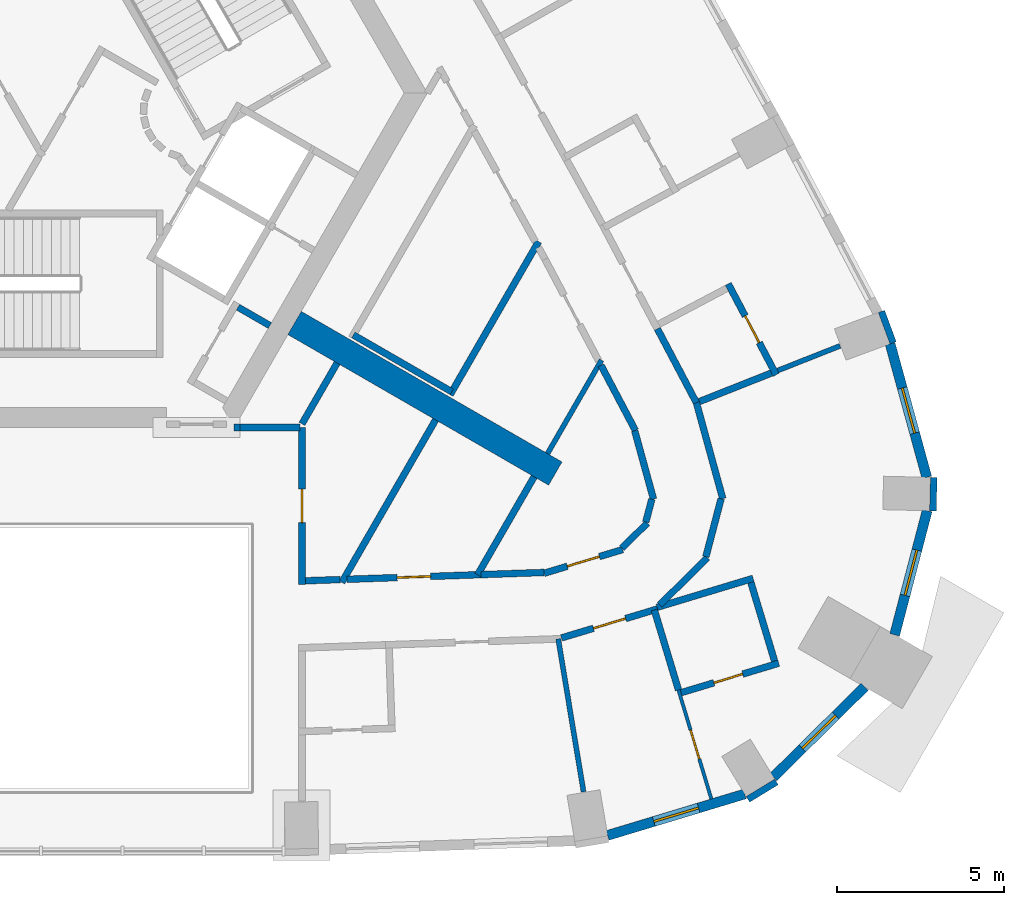
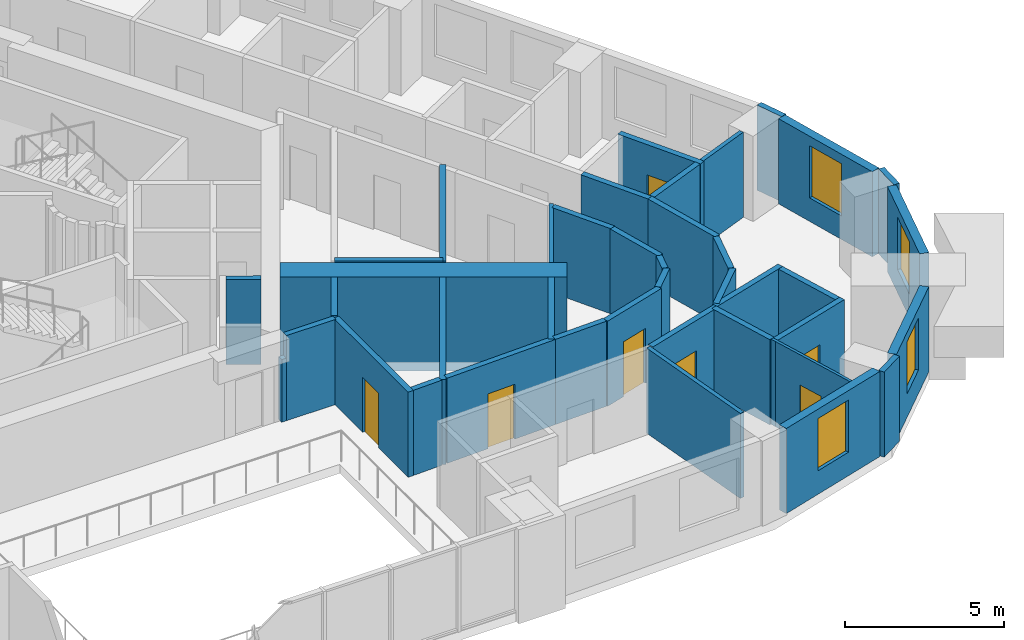
# One storey, part 7 of 14: 40 walls, 7 doors, 4 windows, 11 openings.
"""IFC4 building model written with IfcOpenShell, lengths in metres."""

from ifc_helpers import new_model, si_unit, direction, frame, frame_2d, origin, place, context, subcontext, project, spatial, rectangle, extrude, material, layer, layer_set, type_object, element, fill, save


model = new_model("IFC4")

# Units and contexts
model_context = context("Model", 3, precision=1e-05, world=origin(), true_north=direction((0.0, 1.0)))
body_context = subcontext(model_context, "Body", "Model", "MODEL_VIEW")
ifc_project = project(units=[si_unit("LENGTHUNIT", "METRE"), si_unit("AREAUNIT", "SQUARE_METRE"), si_unit("VOLUMEUNIT", "CUBIC_METRE"), si_unit("PLANEANGLEUNIT", "RADIAN"), si_unit("MASSUNIT", "GRAM", prefix="KILO")], contexts=[model_context])

# Site, building, storey
site_placement = place(None, origin())
site = spatial("IfcSite", under=ifc_project, at=site_placement, CompositionType="ELEMENT")
building_placement = place(site_placement, origin())
building = spatial("IfcBuilding", under=site, at=building_placement, Name="Entoto Arch Interchange Tower", CompositionType="ELEMENT")
storey_placement = place(building_placement, frame((0.0, 0.0, 259.39990234375)))
storey = spatial("IfcBuildingStorey", under=building, at=storey_placement, Name="L59", CompositionType="ELEMENT", Elevation=259.39990234375)

# Wall
ifc_material_1 = material(Name="Concrete C40/50", Category="concrete")
ifc_layer_1 = layer(ifc_material_1, 0.800048828125)
ifc_layer_set_1 = layer_set([ifc_layer_1], Name="Concrete C40/50")
wall_type_1 = type_object("IfcWallType", Name="Buttress wall 800 C40/50", PredefinedType="SHEAR", material=ifc_layer_set_1)
wall_1_placement = place(storey_placement, frame((7.577880859375, -4.375, -0.33984375), z_axis=(0.0, 0.0, 1.0), x_axis=(0.866024315419, -0.5000018851, 0.0)))
element("IfcWall", 1, at=wall_1_placement, inside=storey, type_object=wall_type_1, Name="Buttress wall SE L59", PredefinedType="SHEAR", context=body_context, shape_type="SweptSolid", body=[
    extrude(rectangle(XDim=9.0, YDim=0.800048828125, at=frame_2d((4.5, 0.0))), origin(), (0.0, 0.0, 1.0), 3.599853515625),
])

# Wall, opening, door
ifc_material_2 = material(Name="Gypsum board partition on steel studs", Category="steel")
ifc_layer_2 = layer(ifc_material_2, 0.10009765625)
ifc_layer_set_2 = layer_set([ifc_layer_2], Name="Gypsum board partition on steel studs")
wall_type_2 = type_object("IfcWallType", Name="PARTITION 100", PredefinedType="PARTITIONING", material=ifc_layer_set_2)
wall_2_placement = place(storey_placement, frame((19.053955078125, -15.343994140625, 0.0), z_axis=(0.0, 0.0, 1.0), x_axis=(0.288803435252, -0.957388414274, 0.0)))
wall_2 = element("IfcWall", 2, at=wall_2_placement, inside=storey, type_object=wall_type_2, Name="wall:L59:p125", PredefinedType="PARTITIONING", context=body_context, shape_type="SweptSolid", body=[
    extrude(rectangle(XDim=3.39990234375, YDim=0.10009765625, at=frame_2d((1.699951171875, 0.0))), origin(), (0.0, 0.0, 1.0), 3.260009765625),
])
opening_1_placement = place(wall_2_placement, frame((1.25, 0.0, 0.0)))
opening_1 = element("IfcOpeningElement", 3, at=opening_1_placement, cuts=wall_2, Name="Opening L59-D04", PredefinedType="OPENING", context=body_context, shape_type="SweptSolid", body=[
    extrude(rectangle(XDim=0.89990234375, YDim=2.10009765625, at=frame_2d((0.449951171875, 1.050048828125))), frame((0.0, 0.06005859375, 0.0), z_axis=(0.0, -1.0, 0.0), x_axis=(1.0, 0.0, 0.0)), (0.0, 0.0, 1.0), 0.1201171875),
])
ifc_material_3 = material(Name="Timber door leaf in Steel S235 frame", Category="steel")
door_type_1 = type_object("IfcDoorType", Name="DOOR DS-09 900x2100", OperationType="SINGLE_SWING_LEFT", PredefinedType="DOOR", material=ifc_material_3)
door_1_placement = place(opening_1_placement, origin())
door_1 = element("IfcDoor", 4, at=door_1_placement, inside=storey, type_object=door_type_1, Name="door:L59:04", OperationType="SINGLE_SWING_RIGHT", OverallHeight=2.10009765625, OverallWidth=0.89990234375, PredefinedType="DOOR", context=body_context, shape_type="SweptSolid", body=[
    extrude(rectangle(XDim=0.89990234375, YDim=2.10009765625, at=frame_2d((0.449951171875, 1.050048828125))), frame((0.0, 0.02490234375, 0.0), z_axis=(0.0, -1.0, 0.0), x_axis=(1.0, 0.0, 0.0)), (0.0, 0.0, 1.0), 0.050048828125),
])
fill(opening_1, door_1)

# Walls
ifc_layer_3 = layer(ifc_material_2, 0.14990234375)
ifc_layer_set_3 = layer_set([ifc_layer_3], Name="Gypsum board partition on steel studs")
wall_type_3 = type_object("IfcWallType", Name="PARTITION 150", PredefinedType="PARTITIONING", material=ifc_layer_set_3)
wall_3_placement = place(storey_placement, frame((16.751953125, -5.485107421875, 0.0), z_axis=(0.0, 0.0, 1.0), x_axis=(-0.499988848364, -0.866031842089, 0.0)))
element("IfcWall", 5, at=wall_3_placement, inside=storey, type_object=wall_type_3, Name="wall:L59:p117", PredefinedType="PARTITIONING", context=body_context, shape_type="SweptSolid", body=[
    extrude(rectangle(XDim=3.22607421875, YDim=0.14990234375, at=frame_2d((1.613037109375, 0.0))), origin(), (0.0, 0.0, 1.0), 3.260009765625),
])
wall_4_placement = place(storey_placement, frame((15.458984375, -13.818115234375, 0.0), z_axis=(0.0, 0.0, 1.0), x_axis=(0.163441652939, -0.986553002167, 0.0)))
element("IfcWall", 6, at=wall_4_placement, inside=storey, type_object=wall_type_3, Name="wall:L59:p124", PredefinedType="PARTITIONING", context=body_context, shape_type="SweptSolid", body=[
    extrude(rectangle(XDim=4.632080078125, YDim=0.14990234375, at=frame_2d((2.31591796875, 0.0))), origin(), (0.0, 0.0, 1.0), 3.260009765625),
])
wall_5_placement = place(storey_placement, frame((22.02001953125, -5.7958984375, 0.0), z_axis=(0.0, 0.0, 1.0), x_axis=(0.929915172208, 0.367774078066, 0.0)))
element("IfcWall", 7, at=wall_5_placement, inside=storey, type_object=wall_type_3, Name="wall:L59:p130", PredefinedType="PARTITIONING", context=body_context, shape_type="SweptSolid", body=[
    extrude(rectangle(XDim=2.00341796875, YDim=0.14990234375, at=frame_2d((1.001708984375, 0.0))), origin(), (0.0, 0.0, 1.0), 3.260009765625),
])
ifc_layer_4 = layer(ifc_material_2, 0.199951171875)
ifc_layer_set_4 = layer_set([ifc_layer_4], Name="Gypsum board partition on steel studs")
wall_type_4 = type_object("IfcWallType", Name="PARTITION 200", PredefinedType="PARTITIONING", material=ifc_layer_set_4)
wall_6_placement = place(storey_placement, frame((7.89990234375, -12.0810546875, 0.0), z_axis=(0.0, 0.0, 1.0), x_axis=(0.999365240621, 0.035624652105, 0.0)))
element("IfcWall", 8, at=wall_6_placement, inside=storey, type_object=wall_type_4, Name="wall:L59:p014", PredefinedType="PARTITIONING", context=body_context, shape_type="SweptSolid", body=[
    extrude(rectangle(XDim=1.041748046875, YDim=0.199951171875, at=frame_2d((0.52099609375, 0.0))), origin(), (0.0, 0.0, 1.0), 3.260009765625),
])

# Wall, opening, door
wall_7_placement = place(storey_placement, frame((9.14111328125, -12.037109375, 0.0), z_axis=(0.0, 0.0, 1.0), x_axis=(0.999388955878, 0.034953038062, 0.0)))
wall_7 = element("IfcWall", 9, at=wall_7_placement, inside=storey, type_object=wall_type_4, Name="wall:L59:p016", PredefinedType="PARTITIONING", context=body_context, shape_type="SweptSolid", body=[
    extrude(rectangle(XDim=4.00927734375, YDim=0.199951171875, at=frame_2d((2.004638671875, 0.0))), origin(), (0.0, 0.0, 1.0), 3.260009765625),
])
opening_2_placement = place(wall_7_placement, frame((1.5048828125, 0.0, 0.0)))
opening_2 = element("IfcOpeningElement", 10, at=opening_2_placement, cuts=wall_7, Name="Opening L59-D35", PredefinedType="OPENING", context=body_context, shape_type="SweptSolid", body=[
    extrude(rectangle(XDim=1.0, YDim=2.10009765625, at=frame_2d((0.5, 1.050048828125))), frame((0.0, 0.10986328125, 0.0), z_axis=(0.0, -1.0, 0.0), x_axis=(1.0, 0.0, 0.0)), (0.0, 0.0, 1.0), 0.219970703125),
])
door_type_2 = type_object("IfcDoorType", Name="DOOR DS-10 1000x2100", OperationType="SINGLE_SWING_LEFT", PredefinedType="DOOR", material=ifc_material_3)
door_2_placement = place(opening_2_placement, origin())
door_2 = element("IfcDoor", 11, at=door_2_placement, inside=storey, type_object=door_type_2, Name="door:L59:35", OperationType="SINGLE_SWING_LEFT", OverallHeight=2.10009765625, OverallWidth=1.0, PredefinedType="DOOR", context=body_context, shape_type="SweptSolid", body=[
    extrude(rectangle(XDim=1.0, YDim=2.10009765625, at=frame_2d((0.5, 1.050048828125))), frame((0.0, 0.02490234375, 0.0), z_axis=(0.0, -1.0, 0.0), x_axis=(1.0, 0.0, 0.0)), (0.0, 0.0, 1.0), 0.050048828125),
])
fill(opening_2, door_2)

# Wall
wall_8_placement = place(storey_placement, frame((13.14794921875, -11.89697265625, 0.0), z_axis=(0.0, 0.0, 1.0), x_axis=(0.999405229262, 0.034484601243, 0.0)))
element("IfcWall", 12, at=wall_8_placement, inside=storey, type_object=wall_type_4, Name="wall:L59:p019", PredefinedType="PARTITIONING", context=body_context, shape_type="SweptSolid", body=[
    extrude(rectangle(XDim=1.88330078125, YDim=0.199951171875, at=frame_2d((0.941650390625, 0.0))), origin(), (0.0, 0.0, 1.0), 3.260009765625),
])

# Wall, opening, door
wall_9_placement = place(storey_placement, frame((15.033935546875, -11.85693359375, 0.0), z_axis=(0.0, 0.0, 1.0), x_axis=(0.957338084933, 0.288970225346, 0.0)))
wall_9 = element("IfcWall", 13, at=wall_9_placement, inside=storey, type_object=wall_type_4, Name="wall:L59:p020", PredefinedType="PARTITIONING", context=body_context, shape_type="SweptSolid", body=[
    extrude(rectangle(XDim=2.456787109375, YDim=0.199951171875, at=frame_2d((1.228515625, 0.0))), origin(), (0.0, 0.0, 1.0), 3.260009765625),
])
opening_3_placement = place(wall_9_placement, frame((0.72802734375, 0.0, 0.0)))
opening_3 = element("IfcOpeningElement", 14, at=opening_3_placement, cuts=wall_9, Name="Opening L59-D37", PredefinedType="OPENING", context=body_context, shape_type="SweptSolid", body=[
    extrude(rectangle(XDim=1.0, YDim=2.10009765625, at=frame_2d((0.5, 1.050048828125))), frame((0.0, 0.10986328125, 0.0), z_axis=(0.0, -1.0, 0.0), x_axis=(1.0, 0.0, 0.0)), (0.0, 0.0, 1.0), 0.219970703125),
])
door_3_placement = place(opening_3_placement, origin())
door_3 = element("IfcDoor", 15, at=door_3_placement, inside=storey, type_object=door_type_2, Name="door:L59:37", OperationType="SINGLE_SWING_LEFT", OverallHeight=2.10009765625, OverallWidth=1.0, PredefinedType="DOOR", context=body_context, shape_type="SweptSolid", body=[
    extrude(rectangle(XDim=1.0, YDim=2.10009765625, at=frame_2d((0.5, 1.050048828125))), frame((0.0, 0.02490234375, 0.0), z_axis=(0.0, -1.0, 0.0), x_axis=(1.0, 0.0, 0.0)), (0.0, 0.0, 1.0), 0.050048828125),
])
fill(opening_3, door_3)

# Walls
wall_10_placement = place(storey_placement, frame((17.362060546875, -11.10595703125, 0.0), z_axis=(0.0, 0.0, 1.0), x_axis=(0.710859741153, 0.703333795866, 0.0)))
element("IfcWall", 16, at=wall_10_placement, inside=storey, type_object=wall_type_4, Name="wall:L59:p021", PredefinedType="PARTITIONING", context=body_context, shape_type="SweptSolid", body=[
    extrude(rectangle(XDim=1.070556640625, YDim=0.199951171875, at=frame_2d((0.53515625, 0.0))), origin(), (0.0, 0.0, 1.0), 3.260009765625),
])
wall_11_placement = place(storey_placement, frame((18.076904296875, -10.325927734375, 0.0), z_axis=(0.0, 0.0, 1.0), x_axis=(0.254782174857, 0.966998471237, 0.0)))
element("IfcWall", 17, at=wall_11_placement, inside=storey, type_object=wall_type_4, Name="wall:L59:p022", PredefinedType="PARTITIONING", context=body_context, shape_type="SweptSolid", body=[
    extrude(rectangle(XDim=0.707275390625, YDim=0.199951171875, at=frame_2d((0.353515625, 0.0))), origin(), (0.0, 0.0, 1.0), 3.260009765625),
])
wall_12_placement = place(storey_placement, frame((18.30810546875, -9.64208984375, 0.0), z_axis=(0.0, 0.0, 1.0), x_axis=(-0.264859637197, 0.96428697626, 0.0)))
element("IfcWall", 18, at=wall_12_placement, inside=storey, type_object=wall_type_4, Name="wall:L59:p023", PredefinedType="PARTITIONING", context=body_context, shape_type="SweptSolid", body=[
    extrude(rectangle(XDim=2.121826171875, YDim=0.199951171875, at=frame_2d((1.06103515625, 0.0))), origin(), (0.0, 0.0, 1.0), 3.260009765625),
])
wall_13_placement = place(storey_placement, frame((17.76611328125, -7.587890625, 0.0), z_axis=(0.0, 0.0, 1.0), x_axis=(-0.466727344864, 0.884401258228, 0.0)))
element("IfcWall", 19, at=wall_13_placement, inside=storey, type_object=wall_type_4, Name="wall:L59:p024", PredefinedType="PARTITIONING", context=body_context, shape_type="SweptSolid", body=[
    extrude(rectangle(XDim=2.204833984375, YDim=0.199951171875, at=frame_2d((1.1025390625, 0.0))), origin(), (0.0, 0.0, 1.0), 3.260009765625),
])

# Wall, opening, door
wall_14_placement = place(storey_placement, frame((18.427001953125, -12.922119140625, 0.0), z_axis=(0.0, 0.0, 1.0), x_axis=(-0.957336631432, -0.288975040651, 0.0)))
wall_14 = element("IfcWall", 20, at=wall_14_placement, inside=storey, type_object=wall_type_4, Name="wall:L59:p038", PredefinedType="PARTITIONING", context=body_context, shape_type="SweptSolid", body=[
    extrude(rectangle(XDim=3.0, YDim=0.199951171875, at=frame_2d((1.5, 0.0))), origin(), (0.0, 0.0, 1.0), 3.260009765625),
])
opening_4_placement = place(wall_14_placement, frame((1.0, 0.0, 0.0)))
opening_4 = element("IfcOpeningElement", 21, at=opening_4_placement, cuts=wall_14, Name="Opening L59-D03", PredefinedType="OPENING", context=body_context, shape_type="SweptSolid", body=[
    extrude(rectangle(XDim=1.0, YDim=2.10009765625, at=frame_2d((0.5, 1.050048828125))), frame((0.0, 0.10986328125, 0.0), z_axis=(0.0, -1.0, 0.0), x_axis=(1.0, 0.0, 0.0)), (0.0, 0.0, 1.0), 0.219970703125),
])
ifc_material_4 = material(Name="Fire-rated Steel S235 door and frame", Category="steel")
door_type_3 = type_object("IfcDoorType", Name="DOOR FD-10 1000x2100", OperationType="SINGLE_SWING_LEFT", PredefinedType="DOOR", material=ifc_material_4)
door_4_placement = place(opening_4_placement, origin())
door_4 = element("IfcDoor", 22, at=door_4_placement, inside=storey, type_object=door_type_3, Name="door:L59:03", OperationType="SINGLE_SWING_LEFT", OverallHeight=2.10009765625, OverallWidth=1.0, PredefinedType="DOOR", context=body_context, shape_type="SweptSolid", body=[
    extrude(rectangle(XDim=1.0, YDim=2.10009765625, at=frame_2d((0.5, 1.050048828125))), frame((0.0, 0.02490234375, 0.0), z_axis=(0.0, -1.0, 0.0), x_axis=(1.0, 0.0, 0.0)), (0.0, 0.0, 1.0), 0.050048828125),
])
fill(opening_4, door_4)

# Walls
wall_15_placement = place(storey_placement, frame((19.56396484375, -6.662109375, 0.0), z_axis=(0.0, 0.0, 1.0), x_axis=(0.264876135597, -0.96428244451, 0.0)))
element("IfcWall", 23, at=wall_15_placement, inside=storey, type_object=wall_type_4, Name="wall:L59:p039", PredefinedType="PARTITIONING", context=body_context, shape_type="SweptSolid", body=[
    extrude(rectangle(XDim=3.07666015625, YDim=0.199951171875, at=frame_2d((1.538330078125, 0.0))), origin(), (0.0, 0.0, 1.0), 3.260009765625),
])
wall_16_placement = place(storey_placement, frame((20.326904296875, -9.62890625, 0.0), z_axis=(0.0, 0.0, 1.0), x_axis=(-0.253192482031, -0.967415922467, 0.0)))
element("IfcWall", 24, at=wall_16_placement, inside=storey, type_object=wall_type_4, Name="wall:L59:p040", PredefinedType="PARTITIONING", context=body_context, shape_type="SweptSolid", body=[
    extrude(rectangle(XDim=1.79248046875, YDim=0.199951171875, at=frame_2d((0.896240234375, 0.0))), origin(), (0.0, 0.0, 1.0), 3.260009765625),
])
wall_17_placement = place(storey_placement, frame((19.9189453125, -11.389892578125, 0.0), z_axis=(0.0, 0.0, 1.0), x_axis=(-0.71104667794, -0.70314480855, 0.0)))
element("IfcWall", 25, at=wall_17_placement, inside=storey, type_object=wall_type_4, Name="wall:L59:p041", PredefinedType="PARTITIONING", context=body_context, shape_type="SweptSolid", body=[
    extrude(rectangle(XDim=2.00830078125, YDim=0.199951171875, at=frame_2d((1.004150390625, 0.0))), origin(), (0.0, 0.0, 1.0), 3.260009765625),
])
wall_18_placement = place(storey_placement, frame((18.423095703125, -4.548095703125, 0.0), z_axis=(0.0, 0.0, 1.0), x_axis=(0.466792565793, -0.884366835946, 0.0)))
element("IfcWall", 26, at=wall_18_placement, inside=storey, type_object=wall_type_4, Name="wall:L59:p043", PredefinedType="PARTITIONING", context=body_context, shape_type="SweptSolid", body=[
    extrude(rectangle(XDim=2.5, YDim=0.199951171875, at=frame_2d((1.25, 0.0))), origin(), (0.0, 0.0, 1.0), 3.260009765625),
])
wall_19_placement = place(storey_placement, frame((5.887939453125, -3.902099609375, 0.0), z_axis=(0.0, 0.0, 1.0), x_axis=(0.86621513555, -0.499671230855, 0.0)))
element("IfcWall", 27, at=wall_19_placement, inside=storey, type_object=wall_type_4, Name="wall:L59:p080", PredefinedType="PARTITIONING", context=body_context, shape_type="SweptSolid", body=[
    extrude(rectangle(XDim=1.100341796875, YDim=0.199951171875, at=frame_2d((0.55029296875, 0.0))), origin(), (0.0, 0.0, 1.0), 3.260009765625),
])
wall_20_placement = place(storey_placement, frame((5.77490234375, -7.4990234375, 0.0), z_axis=(0.0, 0.0, 1.0), x_axis=(1.0, 0.0, 0.0)))
element("IfcWall", 28, at=wall_20_placement, inside=storey, type_object=wall_type_4, Name="wall:L59:p090", PredefinedType="PARTITIONING", context=body_context, shape_type="SweptSolid", body=[
    extrude(rectangle(XDim=0.169189453125, YDim=0.199951171875, at=frame_2d((0.08447265625, 0.0))), origin(), (0.0, 0.0, 1.0), 2.400146484375),
])
wall_21_placement = place(storey_placement, frame((7.800048828125, -7.389892578125, 0.0), z_axis=(0.0, 0.0, 1.0), x_axis=(0.499977374825, 0.866038466041, 0.0)))
element("IfcWall", 29, at=wall_21_placement, inside=storey, type_object=wall_type_4, Name="wall:L59:p091", PredefinedType="PARTITIONING", context=body_context, shape_type="SweptSolid", body=[
    extrude(rectangle(XDim=2.10009765625, YDim=0.199951171875, at=frame_2d((1.050048828125, 0.0))), origin(), (0.0, 0.0, 1.0), 3.260009765625),
])

# Wall, opening, door
wall_22_placement = place(storey_placement, frame((7.800048828125, -7.4990234375, 0.0), z_axis=(0.0, 0.0, 1.0), x_axis=(0.0, -1.0, 0.0)))
wall_22 = element("IfcWall", 30, at=wall_22_placement, inside=storey, type_object=wall_type_4, Name="wall:L59:p105", PredefinedType="PARTITIONING", context=body_context, shape_type="SweptSolid", body=[
    extrude(rectangle(XDim=4.68505859375, YDim=0.199951171875, at=frame_2d((2.342529296875, 0.0))), origin(), (0.0, 0.0, 1.0), 3.260009765625),
])
opening_5_placement = place(wall_22_placement, frame((1.842041015625, 0.0, 0.0)))
opening_5 = element("IfcOpeningElement", 31, at=opening_5_placement, cuts=wall_22, Name="Opening L59-D33", PredefinedType="OPENING", context=body_context, shape_type="SweptSolid", body=[
    extrude(rectangle(XDim=1.0, YDim=2.10009765625, at=frame_2d((0.5, 1.050048828125))), frame((0.0, 0.10986328125, 0.0), z_axis=(0.0, -1.0, 0.0), x_axis=(1.0, 0.0, 0.0)), (0.0, 0.0, 1.0), 0.219970703125),
])
door_5_placement = place(opening_5_placement, origin())
door_5 = element("IfcDoor", 32, at=door_5_placement, inside=storey, type_object=door_type_2, Name="door:L59:33", OperationType="SINGLE_SWING_LEFT", OverallHeight=2.10009765625, OverallWidth=1.0, PredefinedType="DOOR", context=body_context, shape_type="SweptSolid", body=[
    extrude(rectangle(XDim=1.0, YDim=2.10009765625, at=frame_2d((0.5, 1.050048828125))), frame((0.0, 0.02490234375, 0.0), z_axis=(0.0, -1.0, 0.0), x_axis=(1.0, 0.0, 0.0)), (0.0, 0.0, 1.0), 0.050048828125),
])
fill(opening_5, door_5)

# Walls
wall_23_placement = place(storey_placement, frame((9.3349609375, -4.73193359375, 0.0), z_axis=(0.0, 0.0, 1.0), x_axis=(0.866002606077, -0.500039484709, 0.0)))
element("IfcWall", 33, at=wall_23_placement, inside=storey, type_object=wall_type_4, Name="wall:L59:p111", PredefinedType="PARTITIONING", context=body_context, shape_type="SweptSolid", body=[
    extrude(rectangle(XDim=3.399658203125, YDim=0.199951171875, at=frame_2d((1.69970703125, 0.0))), origin(), (0.0, 0.0, 1.0), 3.260009765625),
])
wall_24_placement = place(storey_placement, frame((11.7939453125, -7.27099609375, 0.0), z_axis=(0.0, 0.0, 1.0), x_axis=(-0.499918457185, -0.866072477433, 0.0)))
element("IfcWall", 34, at=wall_24_placement, inside=storey, type_object=wall_type_4, Name="wall:L59:p112", PredefinedType="PARTITIONING", context=body_context, shape_type="SweptSolid", body=[
    extrude(rectangle(XDim=5.60693359375, YDim=0.199951171875, at=frame_2d((2.803466796875, 0.0))), origin(), (0.0, 0.0, 1.0), 3.260009765625),
])
wall_25_placement = place(storey_placement, frame((14.87109375, -1.94189453125, 0.0), z_axis=(0.0, 0.0, 1.0), x_axis=(-0.50000507839, -0.866022471755, 0.0)))
element("IfcWall", 35, at=wall_25_placement, inside=storey, type_object=wall_type_4, Name="wall:L59:p114", PredefinedType="PARTITIONING", context=body_context, shape_type="SweptSolid", body=[
    extrude(rectangle(XDim=5.2841796875, YDim=0.199951171875, at=frame_2d((2.64208984375, 0.0))), origin(), (0.0, 0.0, 1.0), 3.260009765625),
])
wall_26_placement = place(storey_placement, frame((14.739013671875, -8.971923828125, 0.0), z_axis=(0.0, 0.0, 1.0), x_axis=(-0.499974489635, -0.8660401317, 0.0)))
element("IfcWall", 36, at=wall_26_placement, inside=storey, type_object=wall_type_4, Name="wall:L59:p116", PredefinedType="PARTITIONING", context=body_context, shape_type="SweptSolid", body=[
    extrude(rectangle(XDim=3.382080078125, YDim=0.199951171875, at=frame_2d((1.69091796875, 0.0))), origin(), (0.0, 0.0, 1.0), 3.260009765625),
])
wall_27_placement = place(storey_placement, frame((18.3310546875, -12.950927734375, 0.0), z_axis=(0.0, 0.0, 1.0), x_axis=(0.289175152117, -0.957276204341, 0.0)))
element("IfcWall", 37, at=wall_27_placement, inside=storey, type_object=wall_type_4, Name="wall:L59:p126", PredefinedType="PARTITIONING", context=body_context, shape_type="SweptSolid", body=[
    extrude(rectangle(XDim=2.499755859375, YDim=0.199951171875, at=frame_2d((1.25, 0.0))), origin(), (0.0, 0.0, 1.0), 3.260009765625),
])

# Wall, opening, door
wall_28_placement = place(storey_placement, frame((19.034912109375, -15.455078125, 0.0), z_axis=(0.0, 0.0, 1.0), x_axis=(0.957248369253, 0.28926728049, 0.0)))
wall_28 = element("IfcWall", 38, at=wall_28_placement, inside=storey, type_object=wall_type_4, Name="wall:L59:p127", PredefinedType="PARTITIONING", context=body_context, shape_type="SweptSolid", body=[
    extrude(rectangle(XDim=3.14990234375, YDim=0.199951171875, at=frame_2d((1.574951171875, 0.0))), origin(), (0.0, 0.0, 1.0), 3.260009765625),
])
opening_6_placement = place(wall_28_placement, frame((1.125, 0.0, 0.0)))
opening_6 = element("IfcOpeningElement", 39, at=opening_6_placement, cuts=wall_28, Name="Opening L59-D05", PredefinedType="OPENING", context=body_context, shape_type="SweptSolid", body=[
    extrude(rectangle(XDim=0.89990234375, YDim=2.10009765625, at=frame_2d((0.449951171875, 1.050048828125))), frame((0.0, 0.10986328125, 0.0), z_axis=(0.0, -1.0, 0.0), x_axis=(1.0, 0.0, 0.0)), (0.0, 0.0, 1.0), 0.219970703125),
])
door_6_placement = place(opening_6_placement, origin())
door_6 = element("IfcDoor", 40, at=door_6_placement, inside=storey, type_object=door_type_1, Name="door:L59:05", OperationType="SINGLE_SWING_LEFT", OverallHeight=2.10009765625, OverallWidth=0.89990234375, PredefinedType="DOOR", context=body_context, shape_type="SweptSolid", body=[
    extrude(rectangle(XDim=0.89990234375, YDim=2.10009765625, at=frame_2d((0.449951171875, 1.050048828125))), frame((0.0, 0.02490234375, 0.0), z_axis=(0.0, -1.0, 0.0), x_axis=(1.0, 0.0, 0.0)), (0.0, 0.0, 1.0), 0.050048828125),
])
fill(opening_6, door_6)

# Walls
wall_29_placement = place(storey_placement, frame((21.926025390625, -14.47802734375, 0.0), z_axis=(0.0, 0.0, 1.0), x_axis=(-0.288928787246, 0.957350591947, 0.0)))
element("IfcWall", 41, at=wall_29_placement, inside=storey, type_object=wall_type_4, Name="wall:L59:p128", PredefinedType="PARTITIONING", context=body_context, shape_type="SweptSolid", body=[
    extrude(rectangle(XDim=2.450439453125, YDim=0.199951171875, at=frame_2d((1.22509765625, 0.0))), origin(), (0.0, 0.0, 1.0), 3.260009765625),
])
wall_30_placement = place(storey_placement, frame((21.284912109375, -12.007080078125, 0.0), z_axis=(0.0, 0.0, 1.0), x_axis=(-0.957329834998, -0.288997555392, 0.0)))
element("IfcWall", 42, at=wall_30_placement, inside=storey, type_object=wall_type_4, Name="wall:L59:p129", PredefinedType="PARTITIONING", context=body_context, shape_type="SweptSolid", body=[
    extrude(rectangle(XDim=2.999755859375, YDim=0.199951171875, at=frame_2d((1.5, 0.0))), origin(), (0.0, 0.0, 1.0), 3.260009765625),
])
wall_31_placement = place(storey_placement, frame((19.68310546875, -6.721923828125, 0.0), z_axis=(0.0, 0.0, 1.0), x_axis=(0.929744903847, 0.368204309821, 0.0)))
element("IfcWall", 43, at=wall_31_placement, inside=storey, type_object=wall_type_4, Name="wall:L59:p131", PredefinedType="PARTITIONING", context=body_context, shape_type="SweptSolid", body=[
    extrude(rectangle(XDim=2.3134765625, YDim=0.199951171875, at=frame_2d((1.15673828125, 0.0))), origin(), (0.0, 0.0, 1.0), 3.260009765625),
])

# Wall, opening, door
wall_32_placement = place(storey_placement, frame((21.97412109375, -5.922119140625, 0.0), z_axis=(0.0, 0.0, 1.0), x_axis=(-0.466401249432, 0.88457327256, 0.0)))
wall_32 = element("IfcWall", 44, at=wall_32_placement, inside=storey, type_object=wall_type_4, Name="wall:L59:p132", PredefinedType="PARTITIONING", context=body_context, shape_type="SweptSolid", body=[
    extrude(rectangle(XDim=3.07275390625, YDim=0.199951171875, at=frame_2d((1.536376953125, 0.0))), origin(), (0.0, 0.0, 1.0), 3.260009765625),
])
opening_7_placement = place(wall_32_placement, frame((1.0859375, 0.0, 0.0)))
opening_7 = element("IfcOpeningElement", 45, at=opening_7_placement, cuts=wall_32, Name="Opening L59-D07", PredefinedType="OPENING", context=body_context, shape_type="SweptSolid", body=[
    extrude(rectangle(XDim=0.89990234375, YDim=2.10009765625, at=frame_2d((0.449951171875, 1.050048828125))), frame((0.0, 0.10986328125, 0.0), z_axis=(0.0, -1.0, 0.0), x_axis=(1.0, 0.0, 0.0)), (0.0, 0.0, 1.0), 0.219970703125),
])
door_7_placement = place(opening_7_placement, origin())
door_7 = element("IfcDoor", 46, at=door_7_placement, inside=storey, type_object=door_type_1, Name="door:L59:07", OperationType="SINGLE_SWING_RIGHT", OverallHeight=2.10009765625, OverallWidth=0.89990234375, PredefinedType="DOOR", context=body_context, shape_type="SweptSolid", body=[
    extrude(rectangle(XDim=0.89990234375, YDim=2.10009765625, at=frame_2d((0.449951171875, 1.050048828125))), frame((0.0, 0.02490234375, 0.0), z_axis=(0.0, -1.0, 0.0), x_axis=(1.0, 0.0, 0.0)), (0.0, 0.0, 1.0), 0.050048828125),
])
fill(opening_7, door_7)

# Wall
wall_33_placement = place(storey_placement, frame((5.944091796875, -7.4990234375, 0.0), z_axis=(0.0, 0.0, 1.0), x_axis=(1.0, 0.0, 0.0)))
element("IfcWall", 47, at=wall_33_placement, inside=storey, type_object=wall_type_4, Name="wall:L59:p090", PredefinedType="PARTITIONING", context=body_context, shape_type="SweptSolid", body=[
    extrude(rectangle(XDim=1.79296875, YDim=0.199951171875, at=frame_2d((0.896484375, 0.0))), origin(), (0.0, 0.0, 1.0), 3.260009765625),
])

# Wall, opening, window
ifc_material_5 = material(Name="Welded tuff (ignimbrite) cladding, warm buff", Category="masonry")
ifc_layer_5 = layer(ifc_material_5, 0.300048828125)
ifc_layer_set_5 = layer_set([ifc_layer_5], Name="Welded tuff (ignimbrite) cladding, warm buff")
wall_type_5 = type_object("IfcWallType", Name="STONE INFILL WALL 300", PredefinedType="STANDARD", material=ifc_layer_set_5)
wall_34_placement = place(storey_placement, frame((16.93603515625, -19.69189453125, 0.0), z_axis=(0.0, 0.0, 1.0), x_axis=(0.957346168713, 0.288943442997, 0.0)))
wall_34 = element("IfcWall", 48, at=wall_34_placement, inside=storey, type_object=wall_type_5, Name="Facade wall SE-01 L59", PredefinedType="STANDARD", context=body_context, shape_type="SweptSolid", body=[
    extrude(rectangle(XDim=4.280517578125, YDim=0.300048828125, at=frame_2d((2.14013671875, 0.0))), origin(), (0.0, 0.0, 1.0), 3.260009765625),
])
opening_8_placement = place(wall_34_placement, frame((1.43994140625, 0.0, 0.89990234375)))
opening_8 = element("IfcOpeningElement", 49, at=opening_8_placement, cuts=wall_34, Name="Opening WH-B", PredefinedType="OPENING", context=body_context, shape_type="SweptSolid", body=[
    extrude(rectangle(XDim=1.39990234375, YDim=2.0, at=frame_2d((0.699951171875, 1.0))), frame((0.0, 0.16015625, 0.0), z_axis=(0.0, -1.0, 0.0), x_axis=(1.0, 0.0, 0.0)), (0.0, 0.0, 1.0), 0.320068359375),
])
ifc_material_6 = material(Name="Clear glass, low-e double glazed", Category="glass")
window_type = type_object("IfcWindowType", Name="WINDOW WH-B 1400x2000", PartitioningType="DOUBLE_PANEL_VERTICAL", PredefinedType="WINDOW", material=ifc_material_6)
window_1_placement = place(opening_8_placement, origin())
window_1 = element("IfcWindow", 50, at=window_1_placement, inside=storey, type_object=window_type, Name="Window WH-B SE-01 L59", OverallHeight=2.0, OverallWidth=1.39990234375, PartitioningType="SINGLE_PANEL", PredefinedType="WINDOW", context=body_context, shape_type="SweptSolid", body=[
    extrude(rectangle(XDim=1.39990234375, YDim=2.0, at=frame_2d((0.699951171875, 1.0))), frame((0.0, 0.030029296875, 0.0), z_axis=(0.0, -1.0, 0.0), x_axis=(1.0, 0.0, 0.0)), (0.0, 0.0, 1.0), 0.06005859375),
])
fill(opening_8, window_1)

wall_35_placement = place(storey_placement, frame((21.89306640625, -17.946044921875, 0.0), z_axis=(0.0, 0.0, 1.0), x_axis=(0.71110935557, 0.703081420904, 0.0)))
wall_35 = element("IfcWall", 51, at=wall_35_placement, inside=storey, type_object=wall_type_5, Name="Facade wall SE-02 L59", PredefinedType="STANDARD", context=body_context, shape_type="SweptSolid", body=[
    extrude(rectangle(XDim=3.831787109375, YDim=0.300048828125, at=frame_2d((1.916015625, 0.0))), origin(), (0.0, 0.0, 1.0), 3.260009765625),
])
opening_9_placement = place(wall_35_placement, frame((1.216064453125, 0.0, 0.89990234375)))
opening_9 = element("IfcOpeningElement", 52, at=opening_9_placement, cuts=wall_35, Name="Opening WH-B", PredefinedType="OPENING", context=body_context, shape_type="SweptSolid", body=[
    extrude(rectangle(XDim=1.39990234375, YDim=2.0, at=frame_2d((0.699951171875, 1.0))), frame((0.0, 0.16015625, 0.0), z_axis=(0.0, -1.0, 0.0), x_axis=(1.0, 0.0, 0.0)), (0.0, 0.0, 1.0), 0.320068359375),
])
window_2_placement = place(opening_9_placement, origin())
window_2 = element("IfcWindow", 53, at=window_2_placement, inside=storey, type_object=window_type, Name="Window WH-B SE-02 L59", OverallHeight=2.0, OverallWidth=1.39990234375, PartitioningType="SINGLE_PANEL", PredefinedType="WINDOW", context=body_context, shape_type="SweptSolid", body=[
    extrude(rectangle(XDim=1.39990234375, YDim=2.0, at=frame_2d((0.699951171875, 1.0))), frame((0.0, 0.030029296875, 0.0), z_axis=(0.0, -1.0, 0.0), x_axis=(1.0, 0.0, 0.0)), (0.0, 0.0, 1.0), 0.06005859375),
])
fill(opening_9, window_2)

wall_36_placement = place(storey_placement, frame((25.51708984375, -13.695068359375, 0.0), z_axis=(0.0, 0.0, 1.0), x_axis=(0.253248721632, 0.967401201669, 0.0)))
wall_36 = element("IfcWall", 54, at=wall_36_placement, inside=storey, type_object=wall_type_5, Name="Facade wall SE-03 L59", PredefinedType="STANDARD", context=body_context, shape_type="SweptSolid", body=[
    extrude(rectangle(XDim=3.833984375, YDim=0.300048828125, at=frame_2d((1.9169921875, 0.0))), origin(), (0.0, 0.0, 1.0), 3.260009765625),
])
opening_10_placement = place(wall_36_placement, frame((1.217041015625, 0.0, 0.89990234375)))
opening_10 = element("IfcOpeningElement", 55, at=opening_10_placement, cuts=wall_36, Name="Opening WH-B", PredefinedType="OPENING", context=body_context, shape_type="SweptSolid", body=[
    extrude(rectangle(XDim=1.39990234375, YDim=2.0, at=frame_2d((0.699951171875, 1.0))), frame((0.0, 0.16015625, 0.0), z_axis=(0.0, -1.0, 0.0), x_axis=(1.0, 0.0, 0.0)), (0.0, 0.0, 1.0), 0.320068359375),
])
window_3_placement = place(opening_10_placement, origin())
window_3 = element("IfcWindow", 56, at=window_3_placement, inside=storey, type_object=window_type, Name="Window WH-B SE-03 L59", OverallHeight=2.0, OverallWidth=1.39990234375, PartitioningType="SINGLE_PANEL", PredefinedType="WINDOW", context=body_context, shape_type="SweptSolid", body=[
    extrude(rectangle(XDim=1.39990234375, YDim=2.0, at=frame_2d((0.699951171875, 1.0))), frame((0.0, 0.030029296875, 0.0), z_axis=(0.0, -1.0, 0.0), x_axis=(1.0, 0.0, 0.0)), (0.0, 0.0, 1.0), 0.06005859375),
])
fill(opening_10, window_3)

wall_37_placement = place(storey_placement, frame((26.47705078125, -8.987060546875, 0.0), z_axis=(0.0, 0.0, 1.0), x_axis=(-0.264924661919, 0.964269113633, 0.0)))
wall_37 = element("IfcWall", 57, at=wall_37_placement, inside=storey, type_object=wall_type_5, Name="Facade wall SE-04 L59", PredefinedType="STANDARD", context=body_context, shape_type="SweptSolid", body=[
    extrude(rectangle(XDim=4.13671875, YDim=0.300048828125, at=frame_2d((2.068359375, 0.0))), origin(), (0.0, 0.0, 1.0), 3.260009765625),
])
opening_11_placement = place(wall_37_placement, frame((1.367919921875, 0.0, 0.89990234375)))
opening_11 = element("IfcOpeningElement", 58, at=opening_11_placement, cuts=wall_37, Name="Opening WH-B", PredefinedType="OPENING", context=body_context, shape_type="SweptSolid", body=[
    extrude(rectangle(XDim=1.39990234375, YDim=2.0, at=frame_2d((0.699951171875, 1.0))), frame((0.0, 0.16015625, 0.0), z_axis=(0.0, -1.0, 0.0), x_axis=(1.0, 0.0, 0.0)), (0.0, 0.0, 1.0), 0.320068359375),
])
window_4_placement = place(opening_11_placement, origin())
window_4 = element("IfcWindow", 59, at=window_4_placement, inside=storey, type_object=window_type, Name="Window WH-B SE-04 L59", OverallHeight=2.0, OverallWidth=1.39990234375, PartitioningType="SINGLE_PANEL", PredefinedType="WINDOW", context=body_context, shape_type="SweptSolid", body=[
    extrude(rectangle(XDim=1.39990234375, YDim=2.0, at=frame_2d((0.699951171875, 1.0))), frame((0.0, 0.030029296875, 0.0), z_axis=(0.0, -1.0, 0.0), x_axis=(1.0, 0.0, 0.0)), (0.0, 0.0, 1.0), 0.06005859375),
])
fill(opening_11, window_4)

# Walls
ifc_layer_6 = layer(ifc_material_5, 0.199951171875)
ifc_layer_set_6 = layer_set([ifc_layer_6], Name="Welded tuff (ignimbrite) cladding, warm buff")
wall_type_6 = type_object("IfcWallType", Name="STONE PIER CLADDING 200", PredefinedType="STANDARD", material=ifc_layer_set_6)
wall_38_placement = place(storey_placement, frame((25.468994140625, -4.967041015625, 0.0), z_axis=(0.0, 0.0, 1.0), x_axis=(-0.346892928577, 0.937904737222, 0.0)))
element("IfcWall", 60, at=wall_38_placement, inside=storey, type_object=wall_type_6, Name="Stone pier NE01 L59", PredefinedType="STANDARD", context=body_context, shape_type="SweptSolid", body=[
    extrude(rectangle(XDim=1.0, YDim=0.199951171875, at=frame_2d((0.5, 0.0))), origin(), (0.0, 0.0, 1.0), 3.260009765625),
])
wall_39_placement = place(storey_placement, frame((21.1298828125, -18.613037109375, 0.0), z_axis=(0.0, 0.0, 1.0), x_axis=(0.853679739553, 0.520798331677, 0.0)))
element("IfcWall", 61, at=wall_39_placement, inside=storey, type_object=wall_type_6, Name="Stone pier SE1 L59", PredefinedType="STANDARD", context=body_context, shape_type="SweptSolid", body=[
    extrude(rectangle(XDim=1.00048828125, YDim=0.199951171875, at=frame_2d((0.500244140625, 0.0))), origin(), (0.0, 0.0, 1.0), 3.260009765625),
])
wall_40_placement = place(storey_placement, frame((26.659912109375, -9.990966796875, 0.0), z_axis=(0.0, 0.0, 1.0), x_axis=(0.024186470916, 0.999707464524, 0.0)))
element("IfcWall", 62, at=wall_40_placement, inside=storey, type_object=wall_type_6, Name="Stone pier SE3 L59", PredefinedType="STANDARD", context=body_context, shape_type="SweptSolid", body=[
    extrude(rectangle(XDim=0.999267578125, YDim=0.199951171875, at=frame_2d((0.49951171875, 0.0))), origin(), (0.0, 0.0, 1.0), 3.260009765625),
])

save(model, "model.ifc")
